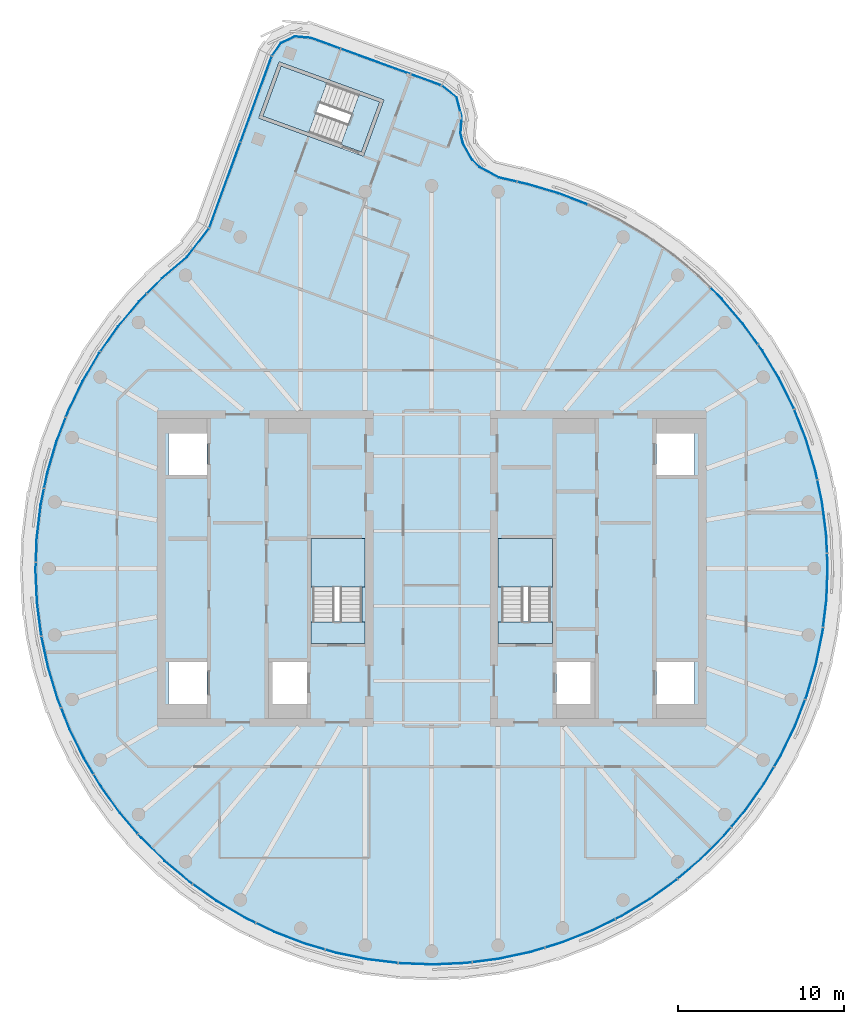
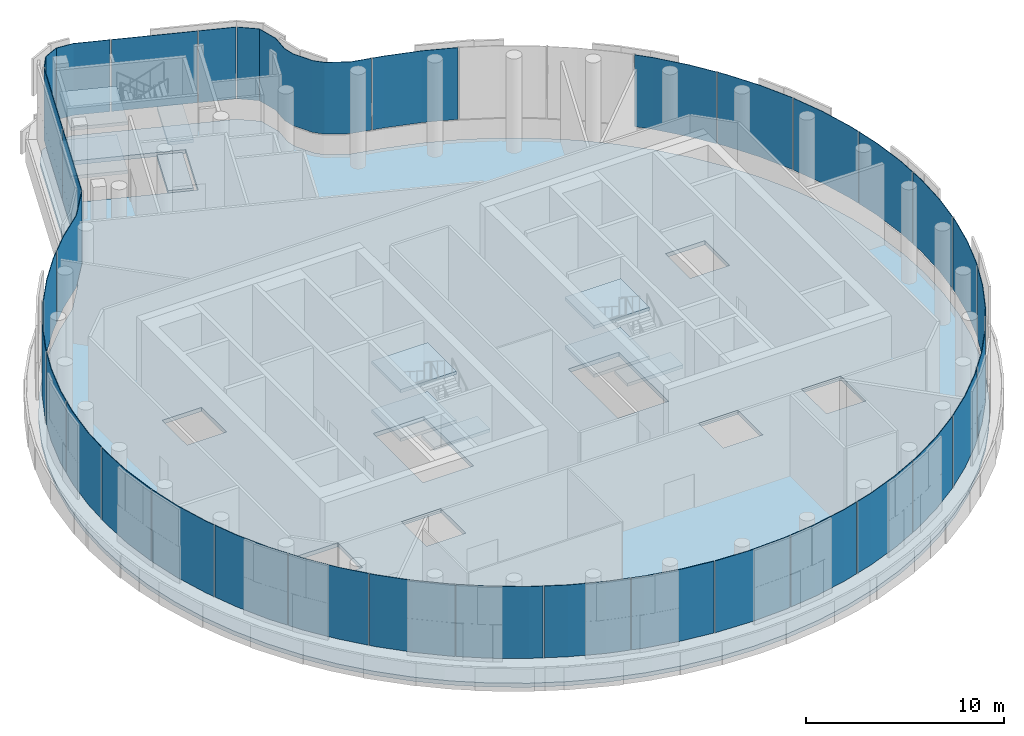
# One storey, part 10 of 18: 33 plates, 11 slabs, 6 elements without a shape of their own.
"""IFC4 building model written with IfcOpenShell, lengths in metres."""

from ifc_helpers import new_model, si_unit, direction, frame, origin, place, context, subcontext, project, spatial, polyline, outline, extrude, material, layer, layer_set, type_object, element, aggregate, save


model = new_model("IFC4")

# Units and contexts
model_context = context("Model", 3, precision=1e-05, world=origin(), true_north=direction((0.0, 1.0)))
body_context = subcontext(model_context, "Body", "Model", "MODEL_VIEW")
ifc_project = project(units=[si_unit("LENGTHUNIT", "METRE"), si_unit("AREAUNIT", "SQUARE_METRE"), si_unit("VOLUMEUNIT", "CUBIC_METRE"), si_unit("PLANEANGLEUNIT", "RADIAN"), si_unit("MASSUNIT", "GRAM", prefix="KILO")], contexts=[model_context])

# Site, building, storey
site_placement = place(None, origin())
site = spatial("IfcSite", under=ifc_project, at=site_placement, CompositionType="ELEMENT")
building_placement = place(site_placement, origin())
building = spatial("IfcBuilding", under=site, at=building_placement, Name="Tamarind Cross Interchange Tower", CompositionType="ELEMENT")
storey_placement = place(building_placement, frame((0.0, 0.0, 299.39990234375)))
storey = spatial("IfcBuildingStorey", under=building, at=storey_placement, Name="L74", CompositionType="ELEMENT", Elevation=299.39990234375)

# Slabs
ifc_material_1 = material(Name="Concrete C40", Category="concrete")
ifc_layer_1 = layer(ifc_material_1, 0.25)
ifc_layer_set_1 = layer_set([ifc_layer_1], Name="Concrete C40")
slab_type_1 = type_object("IfcSlabType", Name="Composite slab 250 Concrete C40", PredefinedType="FLOOR", material=ifc_layer_set_1)
slab_1_placement = place(storey_placement, frame((0.0, 0.0, -0.25)))
element("IfcSlab", 1, at=slab_1_placement, inside=storey, type_object=slab_type_1, Name="Floor slab L74", PredefinedType="FLOOR", context=body_context, shape_type="SweptSolid", body=[
    extrude(outline(polyline([(-9.18798828125, 31.72900390625), (-9.78173828125, 30.880859375), (-13.54248046875, 20.54736328125), (-14.847900390625, 18.848876953125), (-16.327880859375, 17.584228515625), (-17.72412109375, 16.17578125), (-18.99951171875, 14.656982421875), (-20.14501953125, 13.0380859375), (-21.15283203125, 11.329833984375), (-22.01611328125, 9.54443359375), (-22.72900390625, 7.693603515625), (-23.286865234375, 5.79052734375), (-23.685546875, 3.84765625), (-23.92236328125, 1.878662109375), (-23.99560546875, -0.103271484375), (-23.9052734375, -2.08447265625), (-23.651611328125, -4.051513671875), (-23.236083984375, -5.99072265625), (-22.662109375, -7.88916015625), (-21.93310546875, -9.7333984375), (-21.054443359375, -11.511474609375), (-20.031982421875, -13.2109375), (-18.87255859375, -14.820068359375), (-17.584228515625, -16.327880859375), (-16.17578125, -17.72412109375), (-14.656982421875, -18.99951171875), (-13.0380859375, -20.14501953125), (-11.329833984375, -21.15283203125), (-9.54443359375, -22.01611328125), (-7.693603515625, -22.72900390625), (-5.79052734375, -23.286865234375), (-3.84765625, -23.685546875), (-1.878662109375, -23.92236328125), (0.103271484375, -23.99560546875), (2.08447265625, -23.9052734375), (4.051513671875, -23.651611328125), (5.99072265625, -23.236083984375), (7.88916015625, -22.662109375), (9.7333984375, -21.93310546875), (11.511474609375, -21.054443359375), (13.2109375, -20.031982421875), (14.820068359375, -18.87255859375), (16.327880859375, -17.584228515625), (17.72412109375, -16.17578125), (18.99951171875, -14.656982421875), (20.14501953125, -13.0380859375), (21.15283203125, -11.329833984375), (22.01611328125, -9.54443359375), (22.72900390625, -7.693603515625), (23.286865234375, -5.79052734375), (23.685546875, -3.84765625), (23.92236328125, -1.878662109375), (23.99560546875, 0.103271484375), (23.9052734375, 2.08447265625), (23.651611328125, 4.051513671875), (23.236083984375, 5.99072265625), (22.662109375, 7.88916015625), (21.93310546875, 9.7333984375), (21.054443359375, 11.511474609375), (20.031982421875, 13.2109375), (18.87255859375, 14.820068359375), (17.584228515625, 16.327880859375), (16.17578125, 17.72412109375), (14.656982421875, 18.99951171875), (13.0380859375, 20.14501953125), (11.329833984375, 21.15283203125), (9.54443359375, 22.01611328125), (7.693603515625, 22.72900390625), (5.79052734375, 23.286865234375), (4.106689453125, 23.680908203125), (2.99658203125, 24.276123046875), (2.603515625, 24.663330078125), (2.0615234375, 25.6376953125), (1.940185546875, 26.17578125), (2.004638671875, 27.190673828125), (1.6826171875, 28.412109375), (0.692626953125, 29.197021484375), (-7.218505859375, 32.076171875), (-8.249755859375, 32.16650390625), (-9.18798828125, 31.72900390625)]), holes=[polyline([(-15.800048828125, -5.625), (-13.5, -5.625), (-13.5, -8.125), (-15.800048828125, -8.125), (-15.800048828125, -5.625)]), polyline([(-7.5, -5.625), (-7.5, -8.125), (-9.800048828125, -8.125), (-9.800048828125, -5.625), (-7.5, -5.625)]), polyline([(-13.5, 8.125), (-13.5, 5.625), (-15.800048828125, 5.625), (-15.800048828125, 8.125), (-13.5, 8.125)]), polyline([(-4.10009765625, 24.769287109375), (-10.396240234375, 27.060546875), (-10.327880859375, 27.24853515625), (-9.2333984375, 30.255615234375), (-9.1650390625, 30.443603515625), (-2.868896484375, 28.152099609375), (-2.9375, 27.964111328125), (-4.03173828125, 24.957275390625), (-4.10009765625, 24.769287109375)]), polyline([(7.5, -8.125), (7.5, -5.625), (9.800048828125, -5.625), (9.800048828125, -8.125), (7.5, -8.125)]), polyline([(13.5, -8.125), (13.5, -5.625), (15.800048828125, -5.625), (15.800048828125, -8.125), (13.5, -8.125)]), polyline([(-7.14990234375, 1.800048828125), (-4.199951171875, 1.800048828125), (-4.199951171875, -3.18798828125), (-7.14990234375, -3.18798828125), (-7.14990234375, 1.800048828125)]), polyline([(4.199951171875, 1.800048828125), (7.14990234375, 1.800048828125), (7.14990234375, -3.18798828125), (4.199951171875, -3.18798828125), (4.199951171875, 1.800048828125)]), polyline([(13.5, 5.625), (13.5, 8.125), (15.800048828125, 8.125), (15.800048828125, 5.625), (13.5, 5.625)])]), origin(), (0.0, 0.0, 1.0), 0.25),
])
slab_2_placement = place(storey_placement, frame((0.0, 0.0, -0.25)))
element("IfcSlab", 2, at=slab_2_placement, inside=storey, type_object=slab_type_1, Name="Floor slab L74", PredefinedType="FLOOR", context=body_context, shape_type="SweptSolid", body=[
    extrude(outline(polyline([(-4.358154296875, 28.481201171875), (-5.45263671875, 25.47412109375), (-4.2197265625, 25.025634765625), (-3.125244140625, 28.03271484375), (-4.358154296875, 28.481201171875)])), origin(), (0.0, 0.0, 1.0), 0.25),
])

# Stair, slabs
ifc_material_2 = material(Name="Exit stair")
stair_type = type_object("IfcStairType", Name="Exit stair", PredefinedType="HALF_TURN_STAIR", material=ifc_material_2)
stair_1_placement = place(storey_placement, origin())
stair_1 = element("IfcStair", 3, at=stair_1_placement, inside=storey, type_object=stair_type, Name="L74 exit stair ST1", PredefinedType="HALF_TURN_STAIR")
ifc_layer_2 = layer(ifc_material_1, 0.199951171875)
ifc_layer_set_2 = layer_set([ifc_layer_2], Name="Concrete C40")
slab_type_2 = type_object("IfcSlabType", Name="Stair landing", PredefinedType="LANDING", material=ifc_layer_set_2)
slab_3_placement = place(storey_placement, frame((0.0, 0.0, 1.300048828125)))
slab_3 = element("IfcSlab", 4, at=slab_3_placement, type_object=slab_type_2, Name="ST1 landing 1", PredefinedType="LANDING", context=body_context, shape_type="SweptSolid", body=[
    extrude(outline(polyline([(-4.0, -1.1201171875), (-4.0, 1.800048828125), (-7.25, 1.800048828125), (-7.25, -1.1201171875), (-4.0, -1.1201171875)])), origin(), (0.0, 0.0, 1.0), 0.199951171875),
])
slab_4_placement = place(storey_placement, frame((0.0, 0.0, 2.800048828125)))
slab_4 = element("IfcSlab", 5, at=slab_4_placement, type_object=slab_type_2, Name="ST1 landing 2", PredefinedType="LANDING", context=body_context, shape_type="SweptSolid", body=[
    extrude(outline(polyline([(-4.0, -4.5), (-4.0, -3.199951171875), (-7.25, -3.199951171875), (-7.25, -4.5), (-4.0, -4.5)])), origin(), (0.0, 0.0, 1.0), 0.199951171875),
])
slab_5_placement = place(storey_placement, frame((0.0, 0.0, 4.300048828125)))
slab_5 = element("IfcSlab", 6, at=slab_5_placement, type_object=slab_type_2, Name="ST1 landing 3", PredefinedType="LANDING", context=body_context, shape_type="SweptSolid", body=[
    extrude(outline(polyline([(-4.0, -1.1201171875), (-4.0, 1.800048828125), (-7.25, 1.800048828125), (-7.25, -1.1201171875), (-4.0, -1.1201171875)])), origin(), (0.0, 0.0, 1.0), 0.199951171875),
])
aggregate(stair_1, [slab_3, slab_4, slab_5])

stair_2_placement = place(storey_placement, origin())
stair_2 = element("IfcStair", 7, at=stair_2_placement, inside=storey, type_object=stair_type, Name="L74 exit stair ST2", PredefinedType="HALF_TURN_STAIR")
slab_6_placement = place(storey_placement, frame((0.0, 0.0, 1.300048828125)))
slab_6 = element("IfcSlab", 8, at=slab_6_placement, type_object=slab_type_2, Name="ST2 landing 1", PredefinedType="LANDING", context=body_context, shape_type="SweptSolid", body=[
    extrude(outline(polyline([(7.25, -1.1201171875), (7.25, 1.800048828125), (4.0, 1.800048828125), (4.0, -1.1201171875), (7.25, -1.1201171875)])), origin(), (0.0, 0.0, 1.0), 0.199951171875),
])
slab_7_placement = place(storey_placement, frame((0.0, 0.0, 2.800048828125)))
slab_7 = element("IfcSlab", 9, at=slab_7_placement, type_object=slab_type_2, Name="ST2 landing 2", PredefinedType="LANDING", context=body_context, shape_type="SweptSolid", body=[
    extrude(outline(polyline([(7.25, -4.5), (7.25, -3.199951171875), (4.0, -3.199951171875), (4.0, -4.5), (7.25, -4.5)])), origin(), (0.0, 0.0, 1.0), 0.199951171875),
])
slab_8_placement = place(storey_placement, frame((0.0, 0.0, 4.300048828125)))
slab_8 = element("IfcSlab", 10, at=slab_8_placement, type_object=slab_type_2, Name="ST2 landing 3", PredefinedType="LANDING", context=body_context, shape_type="SweptSolid", body=[
    extrude(outline(polyline([(7.25, -1.1201171875), (7.25, 1.800048828125), (4.0, 1.800048828125), (4.0, -1.1201171875), (7.25, -1.1201171875)])), origin(), (0.0, 0.0, 1.0), 0.199951171875),
])
aggregate(stair_2, [slab_6, slab_7, slab_8])

stair_3_placement = place(storey_placement, origin())
stair_3 = element("IfcStair", 11, at=stair_3_placement, inside=storey, type_object=stair_type, Name="L74 exit stair ST4", PredefinedType="HALF_TURN_STAIR")
slab_9_placement = place(storey_placement, frame((0.0, 0.0, 1.300048828125)))
slab_9 = element("IfcSlab", 12, at=slab_9_placement, type_object=slab_type_2, Name="ST4 landing 1", PredefinedType="LANDING", context=body_context, shape_type="SweptSolid", body=[
    extrude(outline(polyline([(-6.290283203125, 29.184326171875), (-9.04541015625, 30.187255859375), (-10.139892578125, 27.18017578125), (-7.384521484375, 26.177490234375), (-6.290283203125, 29.184326171875)])), origin(), (0.0, 0.0, 1.0), 0.199951171875),
])
slab_10_placement = place(storey_placement, frame((0.0, 0.0, 2.800048828125)))
slab_10 = element("IfcSlab", 13, at=slab_10_placement, type_object=slab_type_2, Name="ST4 landing 2", PredefinedType="LANDING", context=body_context, shape_type="SweptSolid", body=[
    extrude(outline(polyline([(-3.125244140625, 28.03271484375), (-4.358154296875, 28.481201171875), (-5.45263671875, 25.474365234375), (-4.2197265625, 25.025634765625), (-3.125244140625, 28.03271484375)])), origin(), (0.0, 0.0, 1.0), 0.199951171875),
])
slab_11_placement = place(storey_placement, frame((0.0, 0.0, 4.300048828125)))
slab_11 = element("IfcSlab", 14, at=slab_11_placement, type_object=slab_type_2, Name="ST4 landing 3", PredefinedType="LANDING", context=body_context, shape_type="SweptSolid", body=[
    extrude(outline(polyline([(-6.290283203125, 29.184326171875), (-9.04541015625, 30.187255859375), (-10.139892578125, 27.18017578125), (-7.384521484375, 26.177490234375), (-6.290283203125, 29.184326171875)])), origin(), (0.0, 0.0, 1.0), 0.199951171875),
])
aggregate(stair_3, [slab_9, slab_10, slab_11])

# Curtain wall, plates
ifc_material_3 = material(Name="Aluminium 6063-T6", Category="aluminium")
ifc_layer_3 = layer(ifc_material_3, 0.14990234375)
ifc_layer_set_3 = layer_set([ifc_layer_3], Name="Aluminium 6063-T6")
curtain_wall_type = type_object("IfcCurtainWallType", Name="Winter garden and crown curtain wall", PredefinedType="NOTDEFINED", material=ifc_layer_set_3)
curtain_wall_1_placement = place(storey_placement, origin())
curtain_wall_1 = element("IfcCurtainWall", 15, at=curtain_wall_1_placement, inside=storey, type_object=curtain_wall_type, Name="CWS-L74-00", PredefinedType="NOTDEFINED")
ifc_material_4 = material(Name="Laminated low-e glass 8+1.52+8", Category="glass")
ifc_layer_4 = layer(ifc_material_4, 0.030029296875)
ifc_layer_set_4 = layer_set([ifc_layer_4], Name="Laminated low-e glass 8+1.52+8")
plate_type = type_object("IfcPlateType", Name="Vision panel CW6", PredefinedType="CURTAIN_PANEL", material=ifc_layer_set_4)
plate_1_placement = place(storey_placement, frame((0.0, 0.0, 1.400146484375)))
plate_1 = element("IfcPlate", 16, at=plate_1_placement, type_object=plate_type, Name="CWP-L74-00-00", PredefinedType="CURTAIN_PANEL", context=body_context, shape_type="SweptSolid", body=[
    extrude(outline(polyline([(0.560546875, 29.016357421875), (-1.23974609375, 29.671630859375), (-1.2294921875, 29.69970703125), (0.57080078125, 29.044677734375), (0.560546875, 29.016357421875)])), origin(), (0.0, 0.0, 1.0), 4.419921875),
])
plate_2_placement = place(storey_placement, frame((0.0, 0.0, 1.400146484375)))
plate_2 = element("IfcPlate", 17, at=plate_2_placement, type_object=plate_type, Name="CWP-L74-00-01", PredefinedType="CURTAIN_PANEL", context=body_context, shape_type="SweptSolid", body=[
    extrude(outline(polyline([(-1.296142578125, 29.692138671875), (-5.438720703125, 31.19970703125), (-5.428466796875, 31.22802734375), (-1.285888671875, 29.72021484375), (-1.296142578125, 29.692138671875)])), origin(), (0.0, 0.0, 1.0), 4.419921875),
])
plate_3_placement = place(storey_placement, frame((0.0, 0.0, 1.400146484375)))
plate_3 = element("IfcPlate", 18, at=plate_3_placement, type_object=plate_type, Name="CWP-L74-00-02", PredefinedType="CURTAIN_PANEL", context=body_context, shape_type="SweptSolid", body=[
    extrude(outline(polyline([(-5.4951171875, 31.22021484375), (-7.265380859375, 31.864501953125), (-8.2109375, 31.947265625), (-9.044921875, 31.558349609375), (-9.5732421875, 30.8037109375), (-9.597900390625, 30.82080078125), (-9.06494140625, 31.58203125), (-8.216552734375, 31.977783203125), (-7.2587890625, 31.89404296875), (-5.48486328125, 31.24853515625), (-5.4951171875, 31.22021484375)])), origin(), (0.0, 0.0, 1.0), 4.419921875),
])
aggregate(curtain_wall_1, [plate_1, plate_2, plate_3])

curtain_wall_2_placement = place(storey_placement, origin())
curtain_wall_2 = element("IfcCurtainWall", 19, at=curtain_wall_2_placement, inside=storey, type_object=curtain_wall_type, Name="CWS-L74-01", PredefinedType="NOTDEFINED")
plate_4_placement = place(storey_placement, frame((0.0, 0.0, 1.400146484375)))
plate_4 = element("IfcPlate", 20, at=plate_4_placement, type_object=plate_type, Name="CWP-L74-01-00", PredefinedType="CURTAIN_PANEL", context=body_context, shape_type="SweptSolid", body=[
    extrude(outline(polyline([(-9.598876953125, 30.75439453125), (-11.459716796875, 25.641845703125), (-11.48779296875, 25.652099609375), (-9.627197265625, 30.7646484375), (-9.598876953125, 30.75439453125)])), origin(), (0.0, 0.0, 1.0), 4.419921875),
])
plate_5_placement = place(storey_placement, frame((0.0, 0.0, 1.400146484375)))
plate_5 = element("IfcPlate", 21, at=plate_5_placement, type_object=plate_type, Name="CWP-L74-01-01", PredefinedType="CURTAIN_PANEL", context=body_context, shape_type="SweptSolid", body=[
    extrude(outline(polyline([(-11.480224609375, 25.58544921875), (-13.3408203125, 20.47314453125), (-13.368896484375, 20.4833984375), (-11.50830078125, 25.595703125), (-11.480224609375, 25.58544921875)])), origin(), (0.0, 0.0, 1.0), 4.419921875),
])
aggregate(curtain_wall_2, [plate_4, plate_5])

curtain_wall_3_placement = place(storey_placement, origin())
curtain_wall_3 = element("IfcCurtainWall", 22, at=curtain_wall_3_placement, inside=storey, type_object=curtain_wall_type, Name="CWS-L74-02", PredefinedType="NOTDEFINED")
plate_6_placement = place(storey_placement, frame((0.0, 0.0, 1.400146484375)))
plate_6 = element("IfcPlate", 23, at=plate_6_placement, type_object=plate_type, Name="CWP-L74-02-00", PredefinedType="CURTAIN_PANEL", context=body_context, shape_type="SweptSolid", body=[
    extrude(outline(polyline([(-13.37158203125, 20.4169921875), (-14.691162109375, 18.7001953125), (-16.181396484375, 17.426513671875), (-17.0810546875, 16.519287109375), (-17.102294921875, 16.540283203125), (-16.201904296875, 17.44873046875), (-14.712890625, 18.720947265625), (-13.395263671875, 20.435302734375), (-13.37158203125, 20.4169921875)])), origin(), (0.0, 0.0, 1.0), 4.419921875),
])
plate_7_placement = place(storey_placement, frame((0.0, 0.0, 1.400146484375)))
plate_7 = element("IfcPlate", 24, at=plate_7_placement, type_object=plate_type, Name="CWP-L74-02-01", PredefinedType="CURTAIN_PANEL", context=body_context, shape_type="SweptSolid", body=[
    extrude(outline(polyline([(-17.123291015625, 16.4765625), (-17.565185546875, 16.03076171875), (-18.8291015625, 14.525634765625), (-19.875244140625, 13.046875), (-19.899658203125, 13.064208984375), (-18.852783203125, 14.5439453125), (-17.58740234375, 16.051025390625), (-17.14453125, 16.497802734375), (-17.123291015625, 16.4765625)])), origin(), (0.0, 0.0, 1.0), 4.419921875),
])
plate_8_placement = place(storey_placement, frame((0.0, 0.0, 1.400146484375)))
plate_8 = element("IfcPlate", 25, at=plate_8_placement, type_object=plate_type, Name="CWP-L74-02-02", PredefinedType="CURTAIN_PANEL", context=body_context, shape_type="SweptSolid", body=[
    extrude(outline(polyline([(-19.909912109375, 12.997802734375), (-19.96435546875, 12.921142578125), (-20.963134765625, 11.228271484375), (-21.818603515625, 9.458740234375), (-21.95458984375, 9.106201171875), (-21.982421875, 9.116943359375), (-21.84619140625, 9.470703125), (-20.989501953125, 11.242431640625), (-19.989501953125, 12.937255859375), (-19.934326171875, 13.01513671875), (-19.909912109375, 12.997802734375)])), origin(), (0.0, 0.0, 1.0), 4.419921875),
])
plate_9_placement = place(storey_placement, frame((0.0, 0.0, 1.400146484375)))
plate_9 = element("IfcPlate", 26, at=plate_9_placement, type_object=plate_type, Name="CWP-L74-02-03", PredefinedType="CURTAIN_PANEL", context=body_context, shape_type="SweptSolid", body=[
    extrude(outline(polyline([(-21.97607421875, 9.05029296875), (-22.525390625, 7.624755859375), (-23.077880859375, 5.738525390625), (-23.26123046875, 4.845703125), (-23.29052734375, 4.8515625), (-23.107177734375, 5.745849609375), (-22.5537109375, 7.63427734375), (-22.004150390625, 9.06103515625), (-21.97607421875, 9.05029296875)])), origin(), (0.0, 0.0, 1.0), 4.419921875),
])
plate_10_placement = place(storey_placement, frame((0.0, 0.0, 1.400146484375)))
plate_10 = element("IfcPlate", 27, at=plate_10_placement, type_object=plate_type, Name="CWP-L74-02-04", PredefinedType="CURTAIN_PANEL", context=body_context, shape_type="SweptSolid", body=[
    extrude(outline(polyline([(-23.273193359375, 4.786865234375), (-23.47314453125, 3.813232421875), (-23.707763671875, 1.86181640625), (-23.76123046875, 0.41748046875), (-23.791259765625, 0.41845703125), (-23.73779296875, 1.8642578125), (-23.502685546875, 3.818115234375), (-23.302734375, 4.79296875), (-23.273193359375, 4.786865234375)])), origin(), (0.0, 0.0, 1.0), 4.419921875),
])
plate_11_placement = place(storey_placement, frame((0.0, 0.0, 1.400146484375)))
plate_11 = element("IfcPlate", 28, at=plate_11_placement, type_object=plate_type, Name="CWP-L74-02-05", PredefinedType="CURTAIN_PANEL", context=body_context, shape_type="SweptSolid", body=[
    extrude(outline(polyline([(-23.763427734375, 0.357421875), (-23.780517578125, -0.102294921875), (-23.69091796875, -2.065673828125), (-23.439453125, -4.01513671875), (-23.43701171875, -4.026611328125), (-23.46630859375, -4.032958984375), (-23.468994140625, -4.020263671875), (-23.720703125, -2.068359375), (-23.810546875, -0.1025390625), (-23.79345703125, 0.358642578125), (-23.763427734375, 0.357421875)])), origin(), (0.0, 0.0, 1.0), 4.419921875),
])
plate_12_placement = place(storey_placement, frame((0.0, 0.0, 1.400146484375)))
plate_12 = element("IfcPlate", 29, at=plate_12_placement, type_object=plate_type, Name="CWP-L74-02-06", PredefinedType="CURTAIN_PANEL", context=body_context, shape_type="SweptSolid", body=[
    extrude(outline(polyline([(-23.42431640625, -4.085205078125), (-23.02783203125, -5.93701171875), (-22.458740234375, -7.818359375), (-22.25830078125, -8.325439453125), (-22.286376953125, -8.336669921875), (-22.487060546875, -7.828125), (-23.056884765625, -5.944580078125), (-23.45361328125, -4.091552734375), (-23.42431640625, -4.085205078125)])), origin(), (0.0, 0.0, 1.0), 4.419921875),
])
plate_13_placement = place(storey_placement, frame((0.0, 0.0, 1.400146484375)))
plate_13 = element("IfcPlate", 30, at=plate_13_placement, type_object=plate_type, Name="CWP-L74-02-07", PredefinedType="CURTAIN_PANEL", context=body_context, shape_type="SweptSolid", body=[
    extrude(outline(polyline([(-22.236328125, -8.38134765625), (-21.736572265625, -9.646240234375), (-20.86572265625, -11.408203125), (-20.309326171875, -12.3330078125), (-20.3349609375, -12.348388671875), (-20.89208984375, -11.422607421875), (-21.763916015625, -9.658447265625), (-22.26416015625, -8.392333984375), (-22.236328125, -8.38134765625)])), origin(), (0.0, 0.0, 1.0), 4.419921875),
])
plate_14_placement = place(storey_placement, frame((0.0, 0.0, 1.400146484375)))
plate_14 = element("IfcPlate", 31, at=plate_14_placement, type_object=plate_type, Name="CWP-L74-02-08", PredefinedType="CURTAIN_PANEL", context=body_context, shape_type="SweptSolid", body=[
    extrude(outline(polyline([(-20.2783203125, -12.38427734375), (-19.852294921875, -13.09228515625), (-18.703369140625, -14.68701171875), (-17.655517578125, -15.913330078125), (-17.678466796875, -15.932861328125), (-18.72705078125, -14.70556640625), (-19.87744140625, -13.10888671875), (-20.303955078125, -12.39990234375), (-20.2783203125, -12.38427734375)])), origin(), (0.0, 0.0, 1.0), 4.419921875),
])
plate_15_placement = place(storey_placement, frame((0.0, 0.0, 1.400146484375)))
plate_15 = element("IfcPlate", 32, at=plate_15_placement, type_object=plate_type, Name="CWP-L74-02-09", PredefinedType="CURTAIN_PANEL", context=body_context, shape_type="SweptSolid", body=[
    extrude(outline(polyline([(-17.61669921875, -15.958984375), (-17.426513671875, -16.181396484375), (-16.03076171875, -17.565185546875), (-14.525634765625, -18.8291015625), (-14.379150390625, -18.9326171875), (-14.396484375, -18.95703125), (-14.5439453125, -18.852783203125), (-16.051025390625, -17.58740234375), (-17.448486328125, -16.201904296875), (-17.639404296875, -15.978515625), (-17.61669921875, -15.958984375)])), origin(), (0.0, 0.0, 1.0), 4.419921875),
])
plate_16_placement = place(storey_placement, frame((0.0, 0.0, 1.400146484375)))
plate_16 = element("IfcPlate", 33, at=plate_16_placement, type_object=plate_type, Name="CWP-L74-02-10", PredefinedType="CURTAIN_PANEL", context=body_context, shape_type="SweptSolid", body=[
    extrude(outline(polyline([(-14.330078125, -18.96728515625), (-12.921142578125, -19.96435546875), (-11.228271484375, -20.963134765625), (-10.58642578125, -21.2734375), (-10.599365234375, -21.300537109375), (-11.242431640625, -20.989501953125), (-12.937255859375, -19.989501953125), (-14.347412109375, -18.99169921875), (-14.330078125, -18.96728515625)])), origin(), (0.0, 0.0, 1.0), 4.419921875),
])
plate_17_placement = place(storey_placement, frame((0.0, 0.0, 1.400146484375)))
plate_17 = element("IfcPlate", 34, at=plate_17_placement, type_object=plate_type, Name="CWP-L74-02-11", PredefinedType="CURTAIN_PANEL", context=body_context, shape_type="SweptSolid", body=[
    extrude(outline(polyline([(-10.532470703125, -21.299560546875), (-9.458740234375, -21.818603515625), (-7.624755859375, -22.525390625), (-6.428466796875, -22.8759765625), (-6.436767578125, -22.904541015625), (-7.63427734375, -22.5537109375), (-9.470703125, -21.84619140625), (-10.54541015625, -21.32666015625), (-10.532470703125, -21.299560546875)])), origin(), (0.0, 0.0, 1.0), 4.419921875),
])
plate_18_placement = place(storey_placement, frame((0.0, 0.0, 1.400146484375)))
plate_18 = element("IfcPlate", 35, at=plate_18_placement, type_object=plate_type, Name="CWP-L74-02-12", PredefinedType="CURTAIN_PANEL", context=body_context, shape_type="SweptSolid", body=[
    extrude(outline(polyline([(-6.370849609375, -22.892822265625), (-5.738525390625, -23.077880859375), (-3.813232421875, -23.47314453125), (-2.04541015625, -23.685791015625), (-2.049072265625, -23.715576171875), (-3.818115234375, -23.502685546875), (-5.745849609375, -23.107177734375), (-6.379150390625, -22.921630859375), (-6.370849609375, -22.892822265625)])), origin(), (0.0, 0.0, 1.0), 4.419921875),
])
plate_19_placement = place(storey_placement, frame((0.0, 0.0, 1.400146484375)))
plate_19 = element("IfcPlate", 36, at=plate_19_placement, type_object=plate_type, Name="CWP-L74-02-13", PredefinedType="CURTAIN_PANEL", context=body_context, shape_type="SweptSolid", body=[
    extrude(outline(polyline([(-1.98583984375, -23.69287109375), (-1.86181640625, -23.707763671875), (0.102294921875, -23.780517578125), (2.065673828125, -23.69091796875), (2.40966796875, -23.646484375), (2.41357421875, -23.67626953125), (2.068359375, -23.720703125), (0.1025390625, -23.810546875), (-1.8642578125, -23.73779296875), (-1.989501953125, -23.72265625), (-1.98583984375, -23.69287109375)])), origin(), (0.0, 0.0, 1.0), 4.419921875),
])
plate_20_placement = place(storey_placement, frame((0.0, 0.0, 1.400146484375)))
plate_20 = element("IfcPlate", 37, at=plate_20_placement, type_object=plate_type, Name="CWP-L74-02-14", PredefinedType="CURTAIN_PANEL", context=body_context, shape_type="SweptSolid", body=[
    extrude(outline(polyline([(2.46923828125, -23.638916015625), (4.01513671875, -23.439453125), (5.93701171875, -23.02783203125), (6.77978515625, -22.77294921875), (6.78857421875, -22.801513671875), (5.944580078125, -23.056884765625), (4.020263671875, -23.468994140625), (2.47314453125, -23.66845703125), (2.46923828125, -23.638916015625)])), origin(), (0.0, 0.0, 1.0), 4.419921875),
])
plate_21_placement = place(storey_placement, frame((0.0, 0.0, 1.400146484375)))
plate_21 = element("IfcPlate", 38, at=plate_21_placement, type_object=plate_type, Name="CWP-L74-02-15", PredefinedType="CURTAIN_PANEL", context=body_context, shape_type="SweptSolid", body=[
    extrude(outline(polyline([(6.83740234375, -22.75537109375), (7.818359375, -22.458740234375), (9.646240234375, -21.736572265625), (11.0029296875, -21.06591796875), (11.01611328125, -21.093017578125), (9.658447265625, -21.763916015625), (7.828125, -22.487060546875), (6.845947265625, -22.7841796875), (6.83740234375, -22.75537109375)])), origin(), (0.0, 0.0, 1.0), 4.419921875),
])
plate_22_placement = place(storey_placement, frame((0.0, 0.0, 1.400146484375)))
plate_22 = element("IfcPlate", 39, at=plate_22_placement, type_object=plate_type, Name="CWP-L74-02-16", PredefinedType="CURTAIN_PANEL", context=body_context, shape_type="SweptSolid", body=[
    extrude(outline(polyline([(11.056640625, -21.03955078125), (11.408203125, -20.86572265625), (13.09228515625, -19.852294921875), (14.68701171875, -18.703369140625), (14.747802734375, -18.651611328125), (14.76708984375, -18.67431640625), (14.70556640625, -18.72705078125), (13.10888671875, -19.87744140625), (11.422607421875, -20.89208984375), (11.070068359375, -21.06640625), (11.056640625, -21.03955078125)])), origin(), (0.0, 0.0, 1.0), 4.419921875),
])
plate_23_placement = place(storey_placement, frame((0.0, 0.0, 1.400146484375)))
plate_23 = element("IfcPlate", 40, at=plate_23_placement, type_object=plate_type, Name="CWP-L74-02-17", PredefinedType="CURTAIN_PANEL", context=body_context, shape_type="SweptSolid", body=[
    extrude(outline(polyline([(14.793212890625, -18.612548828125), (16.181396484375, -17.426513671875), (17.565185546875, -16.03076171875), (17.959716796875, -15.56103515625), (17.982666015625, -15.580322265625), (17.58740234375, -16.051025390625), (16.201904296875, -17.448486328125), (14.812744140625, -18.635498046875), (14.793212890625, -18.612548828125)])), origin(), (0.0, 0.0, 1.0), 4.419921875),
])
plate_24_placement = place(storey_placement, frame((0.0, 0.0, 1.400146484375)))
plate_24 = element("IfcPlate", 41, at=plate_24_placement, type_object=plate_type, Name="CWP-L74-02-18", PredefinedType="CURTAIN_PANEL", context=body_context, shape_type="SweptSolid", body=[
    extrude(outline(polyline([(17.998291015625, -15.51513671875), (18.8291015625, -14.525634765625), (19.96435546875, -12.921142578125), (20.547119140625, -11.93310546875), (20.572998046875, -11.9482421875), (19.989501953125, -12.937255859375), (18.852783203125, -14.5439453125), (18.021240234375, -15.534423828125), (17.998291015625, -15.51513671875)])), origin(), (0.0, 0.0, 1.0), 4.419921875),
])
plate_25_placement = place(storey_placement, frame((0.0, 0.0, 1.400146484375)))
plate_25 = element("IfcPlate", 42, at=plate_25_placement, type_object=plate_type, Name="CWP-L74-02-19", PredefinedType="CURTAIN_PANEL", context=body_context, shape_type="SweptSolid", body=[
    extrude(outline(polyline([(20.57763671875, -11.88134765625), (20.963134765625, -11.228271484375), (21.818603515625, -9.458740234375), (22.4228515625, -7.890380859375), (22.450927734375, -7.901123046875), (21.84619140625, -9.470703125), (20.989501953125, -11.242431640625), (20.603515625, -11.896728515625), (20.57763671875, -11.88134765625)])), origin(), (0.0, 0.0, 1.0), 4.419921875),
])
plate_26_placement = place(storey_placement, frame((0.0, 0.0, 1.400146484375)))
plate_26 = element("IfcPlate", 43, at=plate_26_placement, type_object=plate_type, Name="CWP-L74-02-20", PredefinedType="CURTAIN_PANEL", context=body_context, shape_type="SweptSolid", body=[
    extrude(outline(polyline([(22.444580078125, -7.834228515625), (22.525390625, -7.624755859375), (23.077880859375, -5.738525390625), (23.47314453125, -3.813232421875), (23.502685546875, -3.567626953125), (23.532470703125, -3.5712890625), (23.502685546875, -3.818115234375), (23.107177734375, -5.745849609375), (22.5537109375, -7.63427734375), (22.472412109375, -7.84521484375), (22.444580078125, -7.834228515625)])), origin(), (0.0, 0.0, 1.0), 4.419921875),
])
plate_27_placement = place(storey_placement, frame((0.0, 0.0, 1.400146484375)))
plate_27 = element("IfcPlate", 44, at=plate_27_placement, type_object=plate_type, Name="CWP-L74-02-21", PredefinedType="CURTAIN_PANEL", context=body_context, shape_type="SweptSolid", body=[
    extrude(outline(polyline([(23.509765625, -3.508056640625), (23.707763671875, -1.86181640625), (23.780517578125, 0.102294921875), (23.744873046875, 0.882568359375), (23.77490234375, 0.8837890625), (23.810546875, 0.1025390625), (23.73779296875, -1.8642578125), (23.53955078125, -3.51171875), (23.509765625, -3.508056640625)])), origin(), (0.0, 0.0, 1.0), 4.419921875),
])
plate_28_placement = place(storey_placement, frame((0.0, 0.0, 1.400146484375)))
plate_28 = element("IfcPlate", 45, at=plate_28_placement, type_object=plate_type, Name="CWP-L74-02-22", PredefinedType="CURTAIN_PANEL", context=body_context, shape_type="SweptSolid", body=[
    extrude(outline(polyline([(23.7421875, 0.9423828125), (23.69091796875, 2.065673828125), (23.439453125, 4.01513671875), (23.1640625, 5.30078125), (23.193359375, 5.30712890625), (23.468994140625, 4.020263671875), (23.720703125, 2.068359375), (23.772216796875, 0.94384765625), (23.7421875, 0.9423828125)])), origin(), (0.0, 0.0, 1.0), 4.419921875),
])
plate_29_placement = place(storey_placement, frame((0.0, 0.0, 1.400146484375)))
plate_29 = element("IfcPlate", 46, at=plate_29_placement, type_object=plate_type, Name="CWP-L74-02-23", PredefinedType="CURTAIN_PANEL", context=body_context, shape_type="SweptSolid", body=[
    extrude(outline(polyline([(23.1513671875, 5.359375), (23.02783203125, 5.93701171875), (22.458740234375, 7.818359375), (21.779541015625, 9.537353515625), (21.807373046875, 9.54833984375), (22.487060546875, 7.828125), (23.056884765625, 5.944580078125), (23.1806640625, 5.36572265625), (23.1513671875, 5.359375)])), origin(), (0.0, 0.0, 1.0), 4.419921875),
])
plate_30_placement = place(storey_placement, frame((0.0, 0.0, 1.400146484375)))
plate_30 = element("IfcPlate", 47, at=plate_30_placement, type_object=plate_type, Name="CWP-L74-02-24", PredefinedType="CURTAIN_PANEL", context=body_context, shape_type="SweptSolid", body=[
    extrude(outline(polyline([(21.757568359375, 9.593017578125), (21.736572265625, 9.646240234375), (20.86572265625, 11.408203125), (19.852294921875, 13.09228515625), (19.60986328125, 13.428955078125), (19.634033203125, 13.446533203125), (19.87744140625, 13.10888671875), (20.89208984375, 11.422607421875), (21.763916015625, 9.658447265625), (21.785400390625, 9.60400390625), (21.757568359375, 9.593017578125)])), origin(), (0.0, 0.0, 1.0), 4.419921875),
])
plate_31_placement = place(storey_placement, frame((0.0, 0.0, 1.400146484375)))
plate_31 = element("IfcPlate", 48, at=plate_31_placement, type_object=plate_type, Name="CWP-L74-02-25", PredefinedType="CURTAIN_PANEL", context=body_context, shape_type="SweptSolid", body=[
    extrude(outline(polyline([(19.57470703125, 13.477783203125), (18.703369140625, 14.68701171875), (17.426513671875, 16.181396484375), (16.7529296875, 16.84912109375), (16.774169921875, 16.87060546875), (17.448486328125, 16.201904296875), (18.72705078125, 14.70556640625), (19.59912109375, 13.4951171875), (19.57470703125, 13.477783203125)])), origin(), (0.0, 0.0, 1.0), 4.419921875),
])
plate_32_placement = place(storey_placement, frame((0.0, 0.0, 1.400146484375)))
plate_32 = element("IfcPlate", 49, at=plate_32_placement, type_object=plate_type, Name="CWP-L74-02-28", PredefinedType="CURTAIN_PANEL", context=body_context, shape_type="SweptSolid", body=[
    extrude(outline(polyline([(9.357421875, 21.85791015625), (7.624755859375, 22.525390625), (5.73583984375, 23.078857421875), (5.15576171875, 23.214599609375), (5.16259765625, 23.243896484375), (5.743408203125, 23.10791015625), (7.63427734375, 22.5537109375), (9.3681640625, 21.8857421875), (9.357421875, 21.85791015625)])), origin(), (0.0, 0.0, 1.0), 4.419921875),
])
plate_33_placement = place(storey_placement, frame((0.0, 0.0, 1.400146484375)))
plate_33 = element("IfcPlate", 50, at=plate_33_placement, type_object=plate_type, Name="CWP-L74-02-29", PredefinedType="CURTAIN_PANEL", context=body_context, shape_type="SweptSolid", body=[
    extrude(outline(polyline([(5.097412109375, 23.228271484375), (4.030029296875, 23.478271484375), (2.86767578125, 24.101318359375), (2.4306640625, 24.53173828125), (1.858642578125, 25.560302734375), (1.7236328125, 26.15869140625), (1.787841796875, 27.169677734375), (1.492919921875, 28.288330078125), (0.608154296875, 28.98974609375), (0.626708984375, 29.013427734375), (1.51953125, 28.305419921875), (1.818115234375, 27.172607421875), (1.75390625, 26.1611328125), (1.886962890625, 25.571044921875), (2.454833984375, 24.55029296875), (2.8857421875, 24.125732421875), (4.040771484375, 23.506591796875), (5.104248046875, 23.257568359375), (5.097412109375, 23.228271484375)])), origin(), (0.0, 0.0, 1.0), 4.419921875),
])
aggregate(curtain_wall_3, [plate_6, plate_7, plate_8, plate_9, plate_10, plate_11, plate_12, plate_13, plate_14, plate_15, plate_16, plate_17, plate_18, plate_19, plate_20, plate_21, plate_22, plate_23, plate_24, plate_25, plate_26, plate_27, plate_28, plate_29, plate_30, plate_31, plate_32, plate_33])

save(model, "model.ifc")
